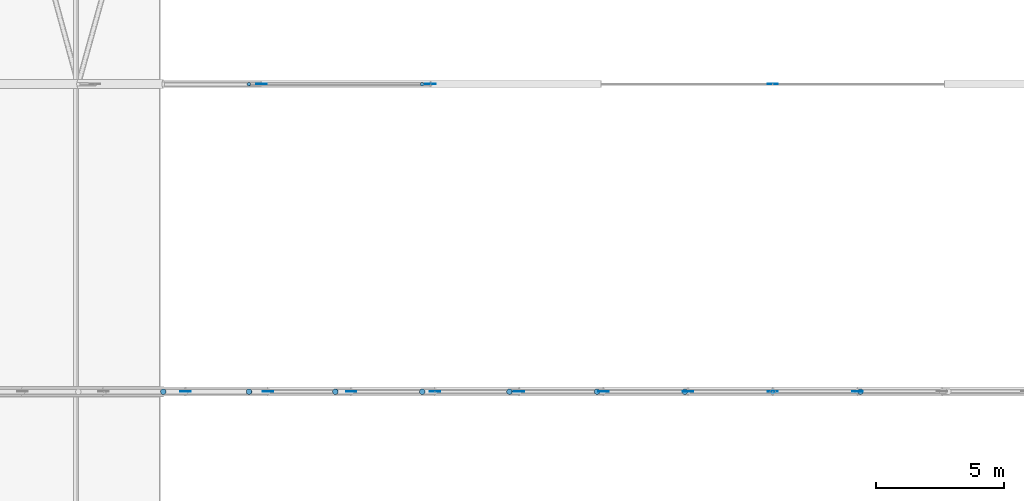
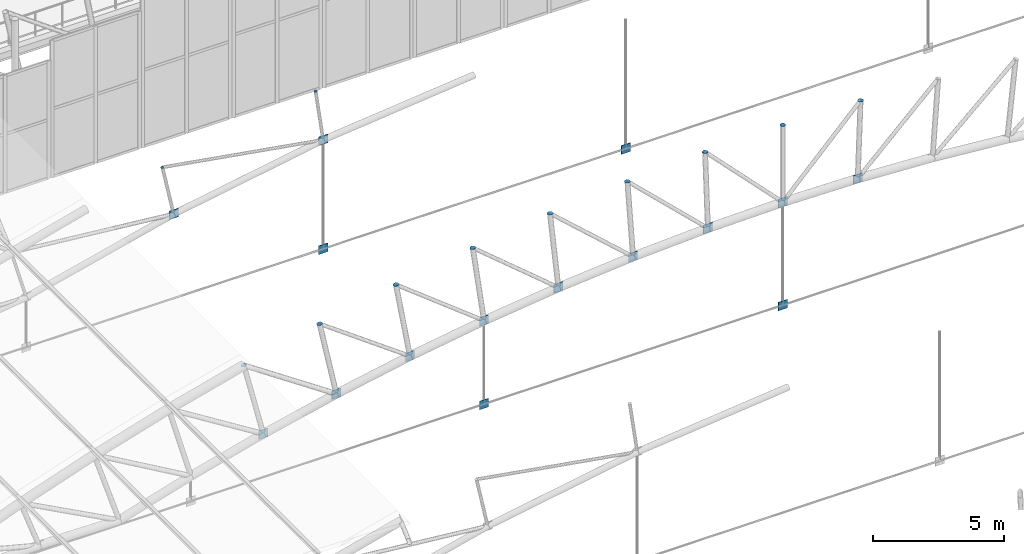
# One storey, part 297 of 321: 26 discrete accessories.
"""IFC4 building model written with IfcOpenShell, lengths in metres."""

from ifc_helpers import new_model, si_unit, direction, frame, origin, origin_2d, place, context, subcontext, project, spatial, rectangle, circle, extrude, material, material_profile, profile_set, type_object, element, save


model = new_model("IFC4")

# Units and contexts
model_context = context("Model", 3, precision=1e-05, world=origin(), true_north=direction((0.0, 1.0)))
body_context = subcontext(model_context, "Body", "Model", "MODEL_VIEW")
ifc_project = project(units=[si_unit("LENGTHUNIT", "METRE"), si_unit("AREAUNIT", "SQUARE_METRE"), si_unit("VOLUMEUNIT", "CUBIC_METRE"), si_unit("PLANEANGLEUNIT", "RADIAN"), si_unit("MASSUNIT", "GRAM", prefix="KILO")], contexts=[model_context])

# Site, building, storey
site_placement = place(None, origin())
site = spatial("IfcSite", under=ifc_project, at=site_placement, CompositionType="ELEMENT")
building_placement = place(site_placement, origin())
building = spatial("IfcBuilding", under=site, at=building_placement, Name="Ravi Spectrum Wholesale Market", CompositionType="ELEMENT")
storey_placement = place(building_placement, frame((0.0, 0.0, 10.800048828125)))
storey = spatial("IfcBuildingStorey", under=building, at=storey_placement, Name="L02", CompositionType="ELEMENT", Elevation=10.800048828125)

# Discrete accessories
ifc_material_1 = material(Name="Steel S355", Category="steel")
ifc_material_profile_1 = material_profile(ifc_material_1, circle(Radius=0.06982421875, at=origin_2d()))
ifc_profile_set_1 = profile_set([ifc_material_profile_1], Name="Steel S355")
discrete_accessory_type_1 = type_object("IfcDiscreteAccessoryType", Name="End plate CHS 139.7x5", PredefinedType="BRACKET", material=ifc_profile_set_1)
for number, where, z_axis, x_axis, name in (
    (1, (49.55859375, 186.0, 6.30224609375), (-0.203954254112, 0.0, 0.978980419738), (0.0, -1.0, 0.0), "End plate"),
    (2, (56.318115234375, 186.0, 7.479736328125), (-0.141421356237, 0.0, 0.989949493661), (0.0, -1.0, 0.0), "End plate"),
):
    element("IfcDiscreteAccessory", number, at=place(storey_placement, frame(where, z_axis=z_axis, x_axis=x_axis)), inside=storey, type_object=discrete_accessory_type_1, Name=name, PredefinedType="BRACKET", context=body_context, shape_type="SweptSolid", body=[
        extrude(circle(Radius=0.06982421875, at=origin_2d()), origin(), (0.0, 0.0, 1.0), 0.011962890625),
    ])
ifc_material_2 = material(Name="Steel S355", Category="steel")
ifc_material_profile_2 = material_profile(ifc_material_2, circle(Radius=0.109619140625, at=origin_2d()))
ifc_profile_set_2 = profile_set([ifc_material_profile_2], Name="Steel S355")
discrete_accessory_type_2 = type_object("IfcDiscreteAccessoryType", Name="End plate CHS 219.1x8", PredefinedType="BRACKET", material=ifc_profile_set_2)
for number, where, z_axis, x_axis, name in (
    (3, (46.21923828125, 174.0, 5.514404296875), (-0.223376156329, 0.0, 0.974732318528), (0.0, -1.0, 0.0), "End plate"),
    (4, (49.563720703125, 174.0, 6.27734375), (-0.203954254112, 0.0, 0.978980419738), (0.0, -1.0, 0.0), "End plate"),
    (5, (52.9326171875, 174.0, 6.92431640625), (-0.18428853505, 0.0, 0.982872186934), (0.0, -1.0, 0.0), "End plate"),
    (6, (56.321533203125, 174.0, 7.45458984375), (-0.141421356237, 0.0, 0.989949493661), (0.0, -1.0, 0.0), "End plate"),
    (7, (59.726806640625, 174.0, 7.867919921875), (-0.101513688013, 0.0, 0.994834142531), (0.0, -1.0, 0.0), "End plate"),
    (8, (63.14453125, 174.0, 8.163330078125), (-0.081362009455, 0.0, 0.996684615823), (0.0, -1.0, 0.0), "End plate"),
    (9, (66.5703125, 174.0, 8.3408203125), (-0.040782369514, 0.0, 0.999168053101), (0.0, -1.0, 0.0), "End plate"),
    (10, (70.0, 174.0, 8.39990234375), (0.0, 0.0, 1.0), (1.0, 0.0, 0.0), "End plate"),
    (11, (73.4296875, 174.0, 8.3408203125), (0.040782369514, 0.0, 0.999168053101), (0.0, 1.0, 0.0), "End plate"),
):
    element("IfcDiscreteAccessory", number, at=place(storey_placement, frame(where, z_axis=z_axis, x_axis=x_axis)), inside=storey, type_object=discrete_accessory_type_2, Name=name, PredefinedType="BRACKET", context=body_context, shape_type="SweptSolid", body=[
        extrude(circle(Radius=0.109619140625, at=origin_2d()), origin(), (0.0, 0.0, 1.0), 0.011962890625),
    ])
ifc_material_3 = material(Name="Steel S355", Category="steel")
ifc_material_profile_3 = material_profile(ifc_material_3, rectangle(XDim=0.39990234375, YDim=0.02001953125, at=origin_2d()))
ifc_profile_set_3 = profile_set([ifc_material_profile_3], Name="Steel S355")
discrete_accessory_type_3 = type_object("IfcDiscreteAccessoryType", Name="Gusset plate 400x400x20", PredefinedType="BRACKET", material=ifc_profile_set_3)
for number, where, z_axis, x_axis, name in (
    (12, (47.080322265625, 174.0, 1.819091796875), (0.0, 0.0, 1.0), (1.0, 0.0, 0.0), "Gusset plate"),
    (13, (50.0517578125, 186.0, 3.75341796875), (0.0, 0.0, 1.0), (1.0, 0.0, 0.0), "Gusset plate"),
    (14, (50.3037109375, 174.0, 2.55419921875), (0.0, 0.0, 1.0), (1.0, 0.0, 0.0), "Gusset plate"),
    (15, (53.55029296875, 174.0, 3.177734375), (0.0, 0.0, 1.0), (1.0, 0.0, 0.0), "Gusset plate"),
    (16, (56.648193359375, 186.0, -0.1767578125), (0.0, 0.0, 1.0), (1.0, 0.0, 0.0), "Gusset plate"),
):
    element("IfcDiscreteAccessory", number, at=place(storey_placement, frame(where, z_axis=z_axis, x_axis=x_axis)), inside=storey, type_object=discrete_accessory_type_3, Name=name, PredefinedType="BRACKET", context=body_context, shape_type="SweptSolid", body=[
        extrude(rectangle(XDim=0.39990234375, YDim=0.02001953125, at=origin_2d()), origin(), (0.0, 0.0, 1.0), 0.39990234375),
    ])
discrete_accessory_1_placement = place(storey_placement, frame((56.648193359375, 186.0, 4.902587890625), z_axis=(0.0, 0.0, 1.0), x_axis=(1.0, 0.0, 0.0)))
element("IfcDiscreteAccessory", 17, at=discrete_accessory_1_placement, inside=storey, type_object=discrete_accessory_type_3, Name="Gusset plate", PredefinedType="BRACKET", context=body_context, shape_type="SweptSolid", body=[
    extrude(rectangle(XDim=0.39990234375, YDim=0.02001953125, at=origin_2d()), origin(), (0.0, 0.0, 1.0), 0.400146484375),
])
for number, where, z_axis, x_axis, name in (
    (18, (56.81689453125, 174.0, -0.199951171875), (0.0, 0.0, 1.0), (1.0, 0.0, 0.0), "Gusset plate"),
    (19, (56.81689453125, 174.0, 3.68896484375), (0.0, 0.0, 1.0), (1.0, 0.0, 0.0), "Gusset plate"),
    (20, (60.098876953125, 174.0, 4.087158203125), (0.0, 0.0, 1.0), (1.0, 0.0, 0.0), "Gusset plate"),
):
    element("IfcDiscreteAccessory", number, at=place(storey_placement, frame(where, z_axis=z_axis, x_axis=x_axis)), inside=storey, type_object=discrete_accessory_type_3, Name=name, PredefinedType="BRACKET", context=body_context, shape_type="SweptSolid", body=[
        extrude(rectangle(XDim=0.39990234375, YDim=0.02001953125, at=origin_2d()), origin(), (0.0, 0.0, 1.0), 0.39990234375),
    ])
discrete_accessory_2_placement = place(storey_placement, frame((63.392578125, 174.0, 4.371826171875), z_axis=(0.0, 0.0, 1.0), x_axis=(1.0, 0.0, 0.0)))
element("IfcDiscreteAccessory", 21, at=discrete_accessory_2_placement, inside=storey, type_object=discrete_accessory_type_3, Name="Gusset plate", PredefinedType="BRACKET", context=body_context, shape_type="SweptSolid", body=[
    extrude(rectangle(XDim=0.39990234375, YDim=0.02001953125, at=origin_2d()), origin(), (0.0, 0.0, 1.0), 0.400146484375),
])
for number, where, z_axis, x_axis, name in (
    (22, (66.6943359375, 174.0, 4.54296875), (0.0, 0.0, 1.0), (1.0, 0.0, 0.0), "Gusset plate"),
    (23, (70.0, 174.0, -0.199951171875), (0.0, 0.0, 1.0), (1.0, 0.0, 0.0), "Gusset plate"),
):
    element("IfcDiscreteAccessory", number, at=place(storey_placement, frame(where, z_axis=z_axis, x_axis=x_axis)), inside=storey, type_object=discrete_accessory_type_3, Name=name, PredefinedType="BRACKET", context=body_context, shape_type="SweptSolid", body=[
        extrude(rectangle(XDim=0.39990234375, YDim=0.02001953125, at=origin_2d()), origin(), (0.0, 0.0, 1.0), 0.39990234375),
    ])
discrete_accessory_3_placement = place(storey_placement, frame((70.0, 174.0, 4.599853515625), z_axis=(0.0, 0.0, 1.0), x_axis=(1.0, 0.0, 0.0)))
element("IfcDiscreteAccessory", 24, at=discrete_accessory_3_placement, inside=storey, type_object=discrete_accessory_type_3, Name="Gusset plate", PredefinedType="BRACKET", context=body_context, shape_type="SweptSolid", body=[
    extrude(rectangle(XDim=0.39990234375, YDim=0.02001953125, at=origin_2d()), origin(), (0.0, 0.0, 1.0), 0.400146484375),
])
for number, where, z_axis, x_axis, name in (
    (25, (70.0, 186.0, -0.1767578125), (0.0, 0.0, 1.0), (1.0, 0.0, 0.0), "Gusset plate"),
    (26, (73.3056640625, 174.0, 4.54296875), (0.0, 0.0, 1.0), (-1.0, 0.0, 0.0), "Gusset plate"),
):
    element("IfcDiscreteAccessory", number, at=place(storey_placement, frame(where, z_axis=z_axis, x_axis=x_axis)), inside=storey, type_object=discrete_accessory_type_3, Name=name, PredefinedType="BRACKET", context=body_context, shape_type="SweptSolid", body=[
        extrude(rectangle(XDim=0.39990234375, YDim=0.02001953125, at=origin_2d()), origin(), (0.0, 0.0, 1.0), 0.39990234375),
    ])

save(model, "model.ifc")
